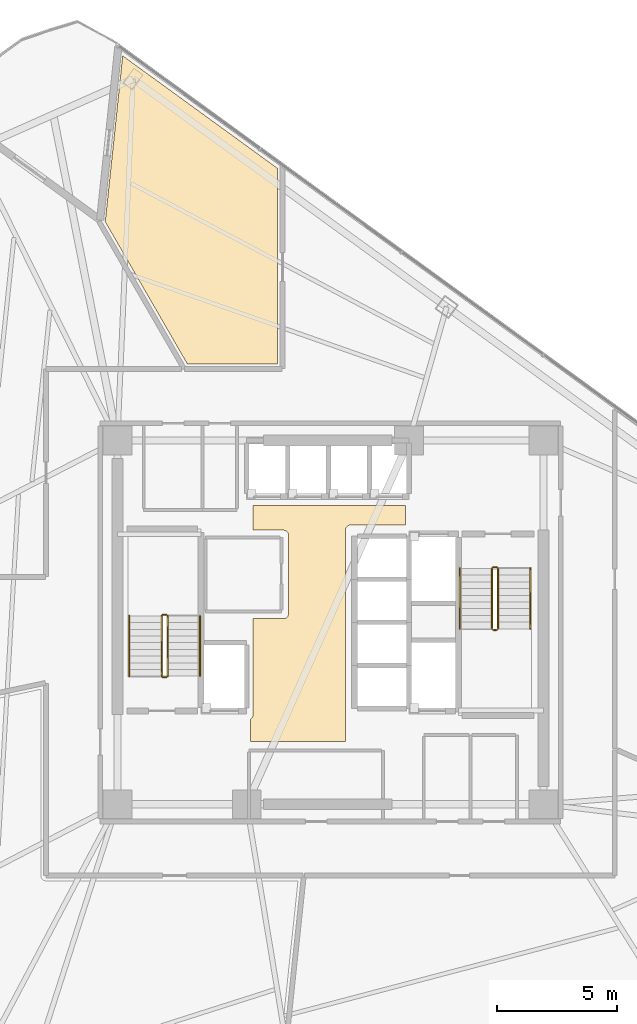
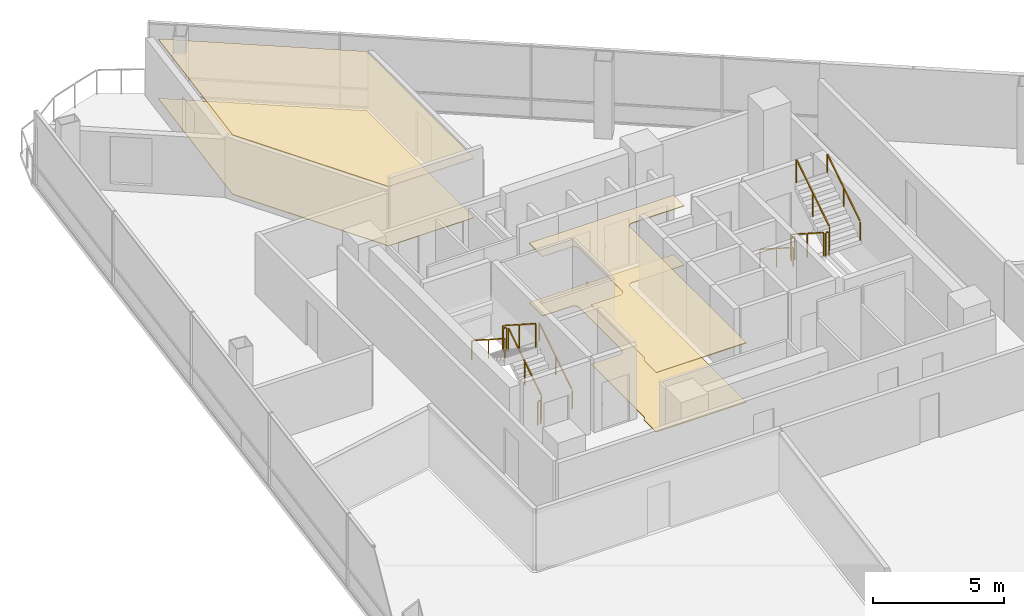
# One storey, part 15 of 16: 12 railings, 4 coverings.
"""IFC4 building model written with IfcOpenShell, lengths in metres."""

from ifc_helpers import new_model, si_unit, direction, frame, origin, origin_2d, place, context, subcontext, project, spatial, polyline, rectangle, outline, extrude, material, layer, layer_set, type_object, element, save


model = new_model("IFC4")

# Units and contexts
model_context = context("Model", 3, precision=1e-05, world=origin(), true_north=direction((0.0, 1.0)))
body_context = subcontext(model_context, "Body", "Model", "MODEL_VIEW")
ifc_project = project(units=[si_unit("LENGTHUNIT", "METRE"), si_unit("AREAUNIT", "SQUARE_METRE"), si_unit("VOLUMEUNIT", "CUBIC_METRE"), si_unit("PLANEANGLEUNIT", "RADIAN"), si_unit("MASSUNIT", "GRAM", prefix="KILO")], contexts=[model_context])

# Site, building, storey
site_placement = place(None, origin())
site = spatial("IfcSite", under=ifc_project, at=site_placement, CompositionType="ELEMENT")
building_placement = place(site_placement, origin())
building = spatial("IfcBuilding", under=site, at=building_placement, Name="Tharavind Bronze Gate", CompositionType="ELEMENT")
storey_placement = place(building_placement, frame((0.0, 0.0, 130.449951171875)))
storey = spatial("IfcBuildingStorey", under=building, at=storey_placement, Name="L33", CompositionType="ELEMENT", Elevation=130.449951171875)

# Coverings
ifc_material_1 = material(Name="Perforated Bronze Acoustic Panel", Category="bronze")
ifc_layer_1 = layer(ifc_material_1, 0.044921875)
ifc_layer_set_1 = layer_set([ifc_layer_1], Name="Perforated Bronze Acoustic Panel")
covering_type_1 = type_object("IfcCoveringType", Name="ACOUSTIC BRONZE BAFFLE CEILING", PredefinedType="CEILING", material=ifc_layer_set_1)
covering_1_placement = place(storey_placement, frame((0.0, 0.0, 2.75)))
element("IfcCovering", 1, at=covering_1_placement, inside=storey, type_object=covering_type_1, Name="L33-C-LL suspended ceiling", PredefinedType="CEILING", context=body_context, shape_type="SweptSolid", body=[
    extrude(outline(polyline([(-3.330078125, -4.97998046875), (0.6298828125, -4.97998046875), (0.6298828125, 3.85009765625), (0.631103515625, 3.87158203125), (0.63427734375, 3.892822265625), (0.639404296875, 3.913818359375), (0.646728515625, 3.93408203125), (0.656005859375, 3.95361328125), (0.6669921875, 3.97216796875), (0.679931640625, 3.989501953125), (0.6943359375, 4.005615234375), (0.71044921875, 4.02001953125), (0.727783203125, 4.032958984375), (0.746337890625, 4.0439453125), (0.765869140625, 4.05322265625), (0.7861328125, 4.060546875), (0.80712890625, 4.06591796875), (0.828369140625, 4.06884765625), (0.85009765625, 4.070068359375), (3.1298828125, 4.070068359375), (3.1298828125, 4.8798828125), (-3.22998046875, 4.8798828125), (-3.22998046875, 3.85009765625), (-1.969970703125, 3.85009765625), (-1.948486328125, 3.848876953125), (-1.927001953125, 3.845703125), (-1.906005859375, 3.840576171875), (-1.8857421875, 3.833251953125), (-1.8662109375, 3.823974609375), (-1.847900390625, 3.81298828125), (-1.830322265625, 3.800048828125), (-1.814453125, 3.78564453125), (-1.7998046875, 3.76953125), (-1.787109375, 3.752197265625), (-1.77587890625, 3.733642578125), (-1.7666015625, 3.714111328125), (-1.759521484375, 3.69384765625), (-1.754150390625, 3.6728515625), (-1.751220703125, 3.651611328125), (-1.75, 3.6298828125), (-1.75, 0.3701171875), (-1.751220703125, 0.348388671875), (-1.754150390625, 0.3271484375), (-1.759521484375, 0.30615234375), (-1.7666015625, 0.285888671875), (-1.77587890625, 0.266357421875), (-1.787109375, 0.247802734375), (-1.7998046875, 0.23046875), (-1.814453125, 0.21435546875), (-1.830322265625, 0.199951171875), (-1.847900390625, 0.18701171875), (-1.8662109375, 0.176025390625), (-1.8857421875, 0.166748046875), (-1.906005859375, 0.159423828125), (-1.927001953125, 0.154296875), (-1.948486328125, 0.151123046875), (-1.969970703125, 0.14990234375), (-3.22998046875, 0.14990234375), (-3.22998046875, -3.85009765625), (-3.231201171875, -3.87158203125), (-3.234130859375, -3.892822265625), (-3.239501953125, -3.913818359375), (-3.24658203125, -3.93408203125), (-3.256103515625, -3.95361328125), (-3.26708984375, -3.97216796875), (-3.27978515625, -3.989501953125), (-3.29443359375, -4.005615234375), (-3.310302734375, -4.02001953125), (-3.327880859375, -4.032958984375), (-3.330078125, -4.0341796875), (-3.330078125, -4.97998046875)])), origin(), (0.0, 0.0, 1.0), 0.03515625),
])
covering_2_placement = place(storey_placement, frame((0.0, 0.0, 2.75)))
element("IfcCovering", 2, at=covering_2_placement, inside=storey, type_object=covering_type_1, Name="L33-RM-01 suspended ceiling", PredefinedType="CEILING", context=body_context, shape_type="SweptSolid", body=[
    extrude(outline(polyline([(-5.981201171875, 10.800048828125), (-2.219970703125, 10.800048828125), (-2.219970703125, 18.9755859375), (-8.6796875, 23.6689453125), (-9.40283203125, 16.78857421875), (-9.404296875, 16.777587890625), (-9.404296875, 16.777099609375), (-9.408935546875, 16.755615234375), (-9.41259765625, 16.743408203125), (-5.981201171875, 10.800048828125)])), origin(), (0.0, 0.0, 1.0), 0.03515625),
])
ifc_material_2 = material(Name="Honed Travertine Limestone", Category="masonry")
ifc_layer_2 = layer(ifc_material_2, 0.030029296875)
ifc_layer_set_2 = layer_set([ifc_layer_2], Name="Honed Travertine Limestone")
covering_type_2 = type_object("IfcCoveringType", Name="HONED LIMESTONE FLOORING", PredefinedType="FLOORING", material=ifc_layer_set_2)
covering_3_placement = place(storey_placement, origin())
element("IfcCovering", 3, at=covering_3_placement, inside=storey, type_object=covering_type_2, Name="L33-C-LL floor finish", PredefinedType="FLOORING", context=body_context, shape_type="SweptSolid", body=[
    extrude(outline(polyline([(-3.330078125, -4.97998046875), (0.6298828125, -4.97998046875), (0.6298828125, 3.85009765625), (0.631103515625, 3.87158203125), (0.63427734375, 3.892822265625), (0.639404296875, 3.913818359375), (0.646728515625, 3.93408203125), (0.656005859375, 3.95361328125), (0.6669921875, 3.97216796875), (0.679931640625, 3.989501953125), (0.6943359375, 4.005615234375), (0.71044921875, 4.02001953125), (0.727783203125, 4.032958984375), (0.746337890625, 4.0439453125), (0.765869140625, 4.05322265625), (0.7861328125, 4.060546875), (0.80712890625, 4.06591796875), (0.828369140625, 4.06884765625), (0.85009765625, 4.070068359375), (3.1298828125, 4.070068359375), (3.1298828125, 4.8798828125), (-3.22998046875, 4.8798828125), (-3.22998046875, 3.85009765625), (-1.969970703125, 3.85009765625), (-1.948486328125, 3.848876953125), (-1.927001953125, 3.845703125), (-1.906005859375, 3.840576171875), (-1.8857421875, 3.833251953125), (-1.8662109375, 3.823974609375), (-1.847900390625, 3.81298828125), (-1.830322265625, 3.800048828125), (-1.814453125, 3.78564453125), (-1.7998046875, 3.76953125), (-1.787109375, 3.752197265625), (-1.77587890625, 3.733642578125), (-1.7666015625, 3.714111328125), (-1.759521484375, 3.69384765625), (-1.754150390625, 3.6728515625), (-1.751220703125, 3.651611328125), (-1.75, 3.6298828125), (-1.75, 0.3701171875), (-1.751220703125, 0.348388671875), (-1.754150390625, 0.3271484375), (-1.759521484375, 0.30615234375), (-1.7666015625, 0.285888671875), (-1.77587890625, 0.266357421875), (-1.787109375, 0.247802734375), (-1.7998046875, 0.23046875), (-1.814453125, 0.21435546875), (-1.830322265625, 0.199951171875), (-1.847900390625, 0.18701171875), (-1.8662109375, 0.176025390625), (-1.8857421875, 0.166748046875), (-1.906005859375, 0.159423828125), (-1.927001953125, 0.154296875), (-1.948486328125, 0.151123046875), (-1.969970703125, 0.14990234375), (-3.22998046875, 0.14990234375), (-3.22998046875, -3.85009765625), (-3.231201171875, -3.87158203125), (-3.234130859375, -3.892822265625), (-3.239501953125, -3.913818359375), (-3.24658203125, -3.93408203125), (-3.256103515625, -3.95361328125), (-3.26708984375, -3.97216796875), (-3.27978515625, -3.989501953125), (-3.29443359375, -4.005615234375), (-3.310302734375, -4.02001953125), (-3.327880859375, -4.032958984375), (-3.330078125, -4.0341796875), (-3.330078125, -4.97998046875)])), origin(), (0.0, 0.0, 1.0), 0.025146484375),
])
covering_4_placement = place(storey_placement, origin())
element("IfcCovering", 4, at=covering_4_placement, inside=storey, type_object=covering_type_2, Name="L33-RM-01 floor finish", PredefinedType="FLOORING", context=body_context, shape_type="SweptSolid", body=[
    extrude(outline(polyline([(-5.981201171875, 10.800048828125), (-2.219970703125, 10.800048828125), (-2.219970703125, 18.9755859375), (-8.6796875, 23.6689453125), (-9.40283203125, 16.78857421875), (-9.404296875, 16.777587890625), (-9.404296875, 16.777099609375), (-9.408935546875, 16.755615234375), (-9.41259765625, 16.743408203125), (-5.981201171875, 10.800048828125)])), origin(), (0.0, 0.0, 1.0), 0.025146484375),
])

# Railings
ifc_material_3 = material(Name="Brushed Bronze Alloy", Category="metal")
railing_type_1 = type_object("IfcRailingType", Name="STAIR BRONZE HANDRAIL 900", PredefinedType="HANDRAIL", material=ifc_material_3)
railing_1_placement = place(storey_placement, frame((-5.449951171875, -2.25, 0.179931640625)))
element("IfcRailing", 5, at=railing_1_placement, inside=storey, type_object=railing_type_1, Name="L33 ST1 stair handrail 1", PredefinedType="HANDRAIL", context=body_context, shape_type="SweptSolid", body=[
    extrude(rectangle(XDim=0.048095703125, YDim=0.048095703125, at=origin_2d()), frame((0.0, 0.02685546875, 0.89306640625), z_axis=(0.0, 0.841162588446, 0.540782303519), x_axis=(-1.0, 0.0, 0.0)), (0.0, 0.0, 1.0), 2.931884765625),
    extrude(rectangle(XDim=0.0400390625, YDim=0.0400390625, at=origin_2d()), origin(), (0.0, 0.0, 1.0), 0.847900390625),
    extrude(rectangle(XDim=0.0400390625, YDim=0.0400390625, at=origin_2d()), frame((0.0, 1.260009765625, 0.81005859375)), (0.0, 0.0, 1.0), 0.847900390625),
    extrude(rectangle(XDim=0.0400390625, YDim=0.0400390625, at=origin_2d()), frame((0.0, 2.52001953125, 1.6201171875)), (0.0, 0.0, 1.0), 0.847900390625),
])
for number, where, name in (
    (6, (-8.39990234375, 0.27001953125, 1.97998046875), "L33 ST1 stair handrail 2"),
    (7, (5.39990234375, 2.25, 0.179931640625), "L33 ST2 stair handrail 1"),
):
    element("IfcRailing", number, at=place(storey_placement, frame(where)), inside=storey, type_object=railing_type_1, Name=name, PredefinedType="HANDRAIL", context=body_context, shape_type="SweptSolid", body=[
        extrude(rectangle(XDim=0.048095703125, YDim=0.048095703125, at=origin_2d()), frame((0.0, -0.02685546875, 0.89306640625), z_axis=(0.0, -0.841162588446, 0.540782303519), x_axis=(1.0, 0.0, 0.0)), (0.0, 0.0, 1.0), 2.931884765625),
        extrude(rectangle(XDim=0.0400390625, YDim=0.0400390625, at=origin_2d()), origin(), (0.0, 0.0, 1.0), 0.847900390625),
        extrude(rectangle(XDim=0.0400390625, YDim=0.0400390625, at=origin_2d()), frame((0.0, -1.260009765625, 0.81005859375)), (0.0, 0.0, 1.0), 0.847900390625),
        extrude(rectangle(XDim=0.0400390625, YDim=0.0400390625, at=origin_2d()), frame((0.0, -2.52001953125, 1.6201171875)), (0.0, 0.0, 1.0), 0.847900390625),
    ])
railing_2_placement = place(storey_placement, frame((8.35009765625, -0.27001953125, 1.97998046875)))
element("IfcRailing", 8, at=railing_2_placement, inside=storey, type_object=railing_type_1, Name="L33 ST2 stair handrail 2", PredefinedType="HANDRAIL", context=body_context, shape_type="SweptSolid", body=[
    extrude(rectangle(XDim=0.048095703125, YDim=0.048095703125, at=origin_2d()), frame((0.0, 0.02685546875, 0.89306640625), z_axis=(0.0, 0.841162588446, 0.540782303519), x_axis=(-1.0, 0.0, 0.0)), (0.0, 0.0, 1.0), 2.931884765625),
    extrude(rectangle(XDim=0.0400390625, YDim=0.0400390625, at=origin_2d()), origin(), (0.0, 0.0, 1.0), 0.847900390625),
    extrude(rectangle(XDim=0.0400390625, YDim=0.0400390625, at=origin_2d()), frame((0.0, 1.260009765625, 0.81005859375)), (0.0, 0.0, 1.0), 0.847900390625),
    extrude(rectangle(XDim=0.0400390625, YDim=0.0400390625, at=origin_2d()), frame((0.0, 2.52001953125, 1.6201171875)), (0.0, 0.0, 1.0), 0.847900390625),
])
railing_type_2 = type_object("IfcRailingType", Name="STAIR WELL GUARD RAILING 1120", PredefinedType="GUARDRAIL", material=ifc_material_3)
railing_3_placement = place(storey_placement, frame((-6.800048828125, -2.25, 0.179931640625)))
element("IfcRailing", 9, at=railing_3_placement, inside=storey, type_object=railing_type_2, Name="L33 ST1 stair guard 1", PredefinedType="GUARDRAIL", context=body_context, shape_type="SweptSolid", body=[
    extrude(rectangle(XDim=0.048095703125, YDim=0.048095703125, at=origin_2d()), frame((0.0, 0.02685546875, 1.11328125), z_axis=(0.0, 0.841162588446, 0.540782303519), x_axis=(-1.0, 0.0, 0.0)), (0.0, 0.0, 1.0), 2.931884765625),
    extrude(rectangle(XDim=0.0400390625, YDim=0.0400390625, at=origin_2d()), origin(), (0.0, 0.0, 1.0), 1.068115234375),
    extrude(rectangle(XDim=0.0400390625, YDim=0.0400390625, at=origin_2d()), frame((0.0, 1.260009765625, 0.81005859375)), (0.0, 0.0, 1.0), 1.068115234375),
    extrude(rectangle(XDim=0.0400390625, YDim=0.0400390625, at=origin_2d()), frame((0.0, 2.52001953125, 1.6201171875)), (0.0, 0.0, 1.0), 1.068115234375),
])
railing_4_placement = place(storey_placement, frame((-6.85009765625, 0.320068359375, 1.800048828125)))
element("IfcRailing", 10, at=railing_4_placement, inside=storey, type_object=railing_type_2, Name="L33 ST1 stair guard 2", PredefinedType="GUARDRAIL", context=body_context, shape_type="SweptSolid", body=[
    extrude(rectangle(XDim=0.048095703125, YDim=0.048095703125, at=origin_2d()), frame((-0.031982421875, 0.0, 1.09619140625), z_axis=(-1.0, 0.0, 0.0), x_axis=(0.0, -1.0, 0.0)), (0.0, 0.0, 1.0), 0.0859375),
    extrude(rectangle(XDim=0.0400390625, YDim=0.0400390625, at=origin_2d()), origin(), (0.0, 0.0, 1.0), 1.068115234375),
    extrude(rectangle(XDim=0.0400390625, YDim=0.0400390625, at=origin_2d()), frame((-0.14990234375, 0.0, 0.0)), (0.0, 0.0, 1.0), 1.068115234375),
])
railing_5_placement = place(storey_placement, frame((-7.050048828125, 0.27001953125, 1.97998046875)))
element("IfcRailing", 11, at=railing_5_placement, inside=storey, type_object=railing_type_2, Name="L33 ST1 stair guard 3", PredefinedType="GUARDRAIL", context=body_context, shape_type="SweptSolid", body=[
    extrude(rectangle(XDim=0.048095703125, YDim=0.048095703125, at=origin_2d()), frame((0.0, -0.02685546875, 1.11328125), z_axis=(0.0, -0.841162588446, 0.540782303519), x_axis=(1.0, 0.0, 0.0)), (0.0, 0.0, 1.0), 2.931884765625),
    extrude(rectangle(XDim=0.0400390625, YDim=0.0400390625, at=origin_2d()), origin(), (0.0, 0.0, 1.0), 1.068115234375),
    extrude(rectangle(XDim=0.0400390625, YDim=0.0400390625, at=origin_2d()), frame((0.0, -1.260009765625, 0.81005859375)), (0.0, 0.0, 1.0), 1.068115234375),
    extrude(rectangle(XDim=0.0400390625, YDim=0.0400390625, at=origin_2d()), frame((0.0, -2.52001953125, 1.6201171875)), (0.0, 0.0, 1.0), 1.068115234375),
])
railing_6_placement = place(storey_placement, frame((-6.85009765625, -2.300048828125, 0.0)))
element("IfcRailing", 12, at=railing_6_placement, inside=storey, type_object=railing_type_2, Name="L33 ST1 stair guard 4", PredefinedType="GUARDRAIL", context=body_context, shape_type="SweptSolid", body=[
    extrude(rectangle(XDim=0.048095703125, YDim=0.048095703125, at=origin_2d()), frame((-0.031982421875, 0.0, 1.09619140625), z_axis=(-1.0, 0.0, 0.0), x_axis=(0.0, -1.0, 0.0)), (0.0, 0.0, 1.0), 0.0859375),
    extrude(rectangle(XDim=0.0400390625, YDim=0.0400390625, at=origin_2d()), origin(), (0.0, 0.0, 1.0), 1.068115234375),
    extrude(rectangle(XDim=0.0400390625, YDim=0.0400390625, at=origin_2d()), frame((-0.14990234375, 0.0, 0.0)), (0.0, 0.0, 1.0), 1.068115234375),
])
railing_7_placement = place(storey_placement, frame((6.75, 2.25, 0.179931640625)))
element("IfcRailing", 13, at=railing_7_placement, inside=storey, type_object=railing_type_2, Name="L33 ST2 stair guard 1", PredefinedType="GUARDRAIL", context=body_context, shape_type="SweptSolid", body=[
    extrude(rectangle(XDim=0.048095703125, YDim=0.048095703125, at=origin_2d()), frame((0.0, -0.02685546875, 1.11328125), z_axis=(0.0, -0.841162588446, 0.540782303519), x_axis=(1.0, 0.0, 0.0)), (0.0, 0.0, 1.0), 2.931884765625),
    extrude(rectangle(XDim=0.0400390625, YDim=0.0400390625, at=origin_2d()), origin(), (0.0, 0.0, 1.0), 1.068115234375),
    extrude(rectangle(XDim=0.0400390625, YDim=0.0400390625, at=origin_2d()), frame((0.0, -1.260009765625, 0.81005859375)), (0.0, 0.0, 1.0), 1.068115234375),
    extrude(rectangle(XDim=0.0400390625, YDim=0.0400390625, at=origin_2d()), frame((0.0, -2.52001953125, 1.6201171875)), (0.0, 0.0, 1.0), 1.068115234375),
])
railing_8_placement = place(storey_placement, frame((6.800048828125, -0.320068359375, 1.800048828125)))
element("IfcRailing", 14, at=railing_8_placement, inside=storey, type_object=railing_type_2, Name="L33 ST2 stair guard 2", PredefinedType="GUARDRAIL", context=body_context, shape_type="SweptSolid", body=[
    extrude(rectangle(XDim=0.048095703125, YDim=0.048095703125, at=origin_2d()), frame((0.031982421875, 0.0, 1.09619140625), z_axis=(1.0, 0.0, 0.0), x_axis=(0.0, 1.0, 0.0)), (0.0, 0.0, 1.0), 0.0859375),
    extrude(rectangle(XDim=0.0400390625, YDim=0.0400390625, at=origin_2d()), origin(), (0.0, 0.0, 1.0), 1.068115234375),
    extrude(rectangle(XDim=0.0400390625, YDim=0.0400390625, at=origin_2d()), frame((0.14990234375, 0.0, 0.0)), (0.0, 0.0, 1.0), 1.068115234375),
])
railing_9_placement = place(storey_placement, frame((7.0, -0.27001953125, 1.97998046875)))
element("IfcRailing", 15, at=railing_9_placement, inside=storey, type_object=railing_type_2, Name="L33 ST2 stair guard 3", PredefinedType="GUARDRAIL", context=body_context, shape_type="SweptSolid", body=[
    extrude(rectangle(XDim=0.048095703125, YDim=0.048095703125, at=origin_2d()), frame((0.0, 0.02685546875, 1.11328125), z_axis=(0.0, 0.841162588446, 0.540782303519), x_axis=(-1.0, 0.0, 0.0)), (0.0, 0.0, 1.0), 2.931884765625),
    extrude(rectangle(XDim=0.0400390625, YDim=0.0400390625, at=origin_2d()), origin(), (0.0, 0.0, 1.0), 1.068115234375),
    extrude(rectangle(XDim=0.0400390625, YDim=0.0400390625, at=origin_2d()), frame((0.0, 1.260009765625, 0.81005859375)), (0.0, 0.0, 1.0), 1.068115234375),
    extrude(rectangle(XDim=0.0400390625, YDim=0.0400390625, at=origin_2d()), frame((0.0, 2.52001953125, 1.6201171875)), (0.0, 0.0, 1.0), 1.068115234375),
])
railing_10_placement = place(storey_placement, frame((6.800048828125, 2.300048828125, 0.0)))
element("IfcRailing", 16, at=railing_10_placement, inside=storey, type_object=railing_type_2, Name="L33 ST2 stair guard 4", PredefinedType="GUARDRAIL", context=body_context, shape_type="SweptSolid", body=[
    extrude(rectangle(XDim=0.048095703125, YDim=0.048095703125, at=origin_2d()), frame((0.031982421875, 0.0, 1.09619140625), z_axis=(1.0, 0.0, 0.0), x_axis=(0.0, 1.0, 0.0)), (0.0, 0.0, 1.0), 0.0859375),
    extrude(rectangle(XDim=0.0400390625, YDim=0.0400390625, at=origin_2d()), origin(), (0.0, 0.0, 1.0), 1.068115234375),
    extrude(rectangle(XDim=0.0400390625, YDim=0.0400390625, at=origin_2d()), frame((0.14990234375, 0.0, 0.0)), (0.0, 0.0, 1.0), 1.068115234375),
])

save(model, "model.ifc")
